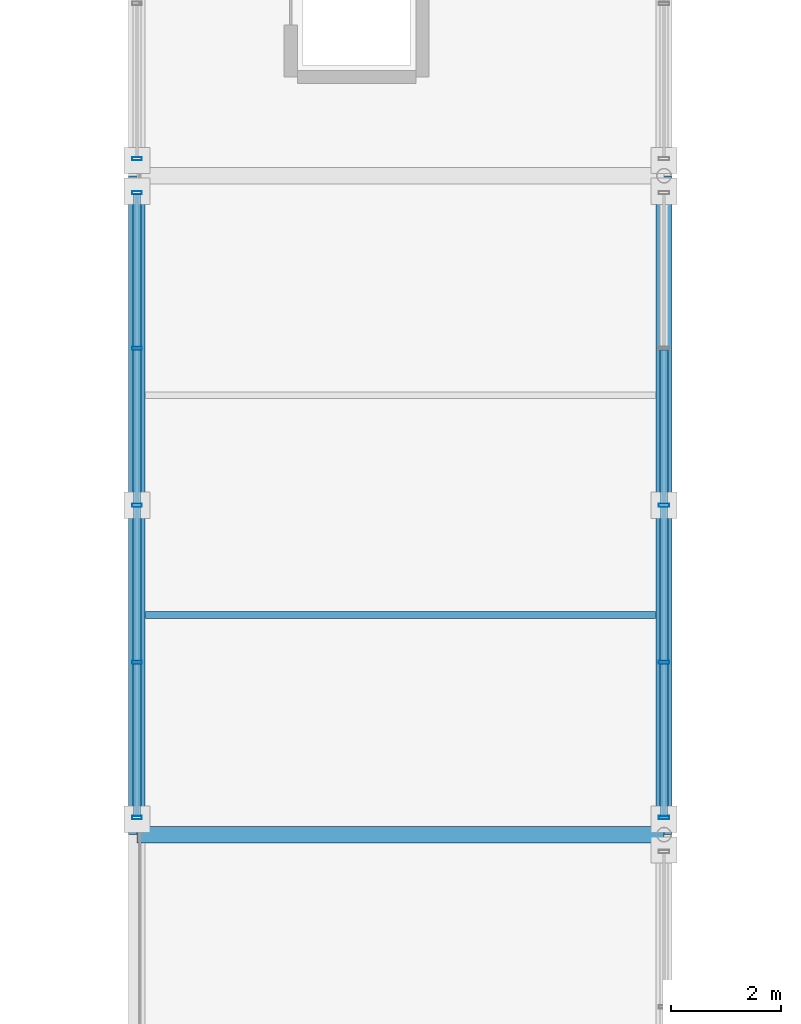
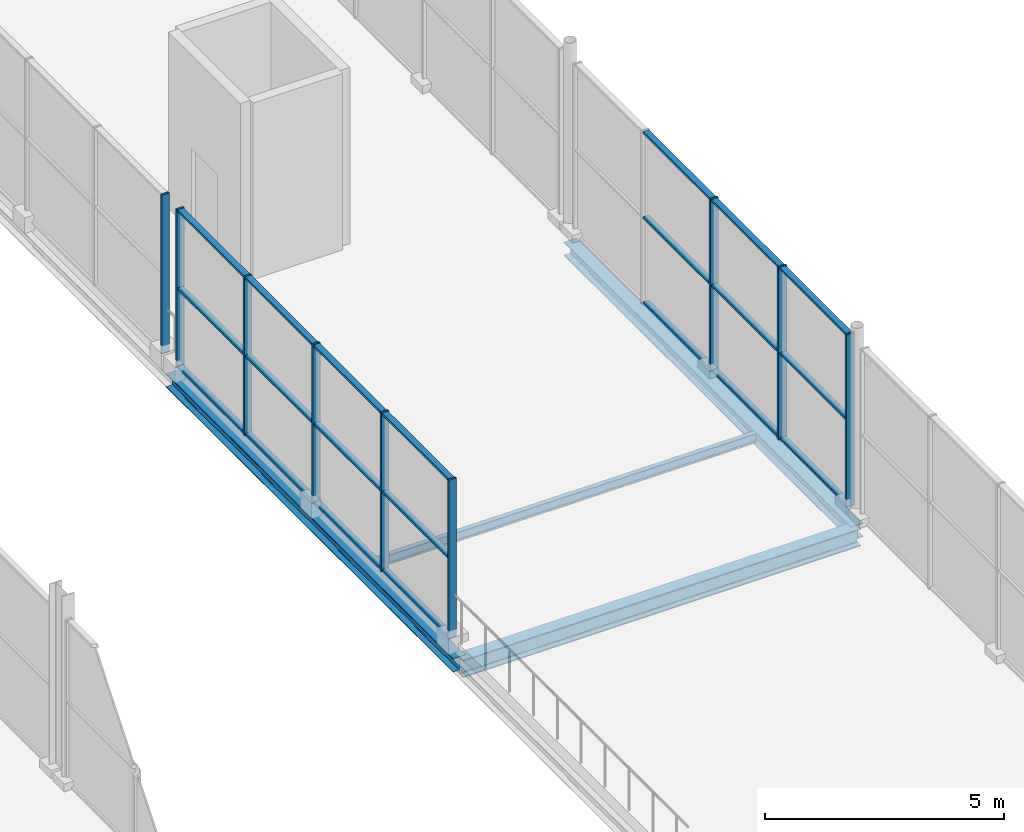
# One storey, part 90 of 159: 30 members, 4 beams, 3 elements without a shape of their own.
"""IFC4 building model written with IfcOpenShell, lengths in metres."""

from ifc_helpers import new_model, si_unit, direction, frame, origin, origin_2d, place, context, subcontext, project, spatial, hollow_rectangle, i_section, extrude, material, material_profile, profile_set, type_object, element, aggregate, save


model = new_model("IFC4")

# Units and contexts
model_context = context("Model", 3, precision=1e-05, world=origin(), true_north=direction((0.0, 1.0)))
body_context = subcontext(model_context, "Body", "Model", "MODEL_VIEW")
ifc_project = project(units=[si_unit("LENGTHUNIT", "METRE"), si_unit("AREAUNIT", "SQUARE_METRE"), si_unit("VOLUMEUNIT", "CUBIC_METRE"), si_unit("PLANEANGLEUNIT", "RADIAN"), si_unit("MASSUNIT", "GRAM", prefix="KILO")], contexts=[model_context])

# Site, building, storey
site_placement = place(None, origin())
site = spatial("IfcSite", under=ifc_project, at=site_placement, CompositionType="ELEMENT")
building_placement = place(site_placement, origin())
building = spatial("IfcBuilding", under=site, at=building_placement, Name="Merenkruunu Market Hall", CompositionType="ELEMENT")
storey_placement = place(building_placement, frame((0.0, 0.0, 5.39990234375)))
storey = spatial("IfcBuildingStorey", under=building, at=storey_placement, Name="L01", CompositionType="ELEMENT", Elevation=5.39990234375)

# Curtain wall, members
ifc_material_1 = material(Name="Powder-coated aluminium", Category="aluminium")
curtain_wall_type_1 = type_object("IfcCurtainWallType", Name="Glazed Curtain Wall CW16", PredefinedType="USERDEFINED", material=ifc_material_1)
curtain_wall_1_placement = place(storey_placement, origin())
curtain_wall_1 = element("IfcCurtainWall", 1, at=curtain_wall_1_placement, inside=storey, type_object=curtain_wall_type_1, Name="CW-L01-CWM02-175", ObjectType="GLAZED_FACADE", PredefinedType="USERDEFINED")
ifc_material_profile_1 = material_profile(ifc_material_1, hollow_rectangle(XDim=0.06005859375, YDim=0.179931640625, WallThickness=0.00390625, at=origin_2d()), Name="ALU 60x180x4")
ifc_profile_set_1 = profile_set([ifc_material_profile_1], Name="Powder-coated aluminium")
member_type_1 = type_object("IfcMemberType", Name="Curtain Wall Mullion CWM02", PredefinedType="MULLION", material=ifc_profile_set_1)
member_1_placement = place(storey_placement, frame((67.199951171875, 63.909912109375, 0.0), z_axis=(0.0, 0.0, 1.0), x_axis=(0.0, 1.0, 0.0)))
member_1 = element("IfcMember", 2, at=member_1_placement, type_object=member_type_1, Name="CW16 mullion 1", PredefinedType="MULLION", context=body_context, shape_type="SweptSolid", body=[
    extrude(hollow_rectangle(XDim=0.06005859375, YDim=0.179931640625, WallThickness=0.00390625, at=origin_2d()), origin(), (0.0, 0.0, 1.0), 4.050048828125),
])
member_2_placement = place(storey_placement, frame((67.199951171875, 66.739990234375, 0.0), z_axis=(0.0, 0.0, 1.0), x_axis=(0.0, 1.0, 0.0)))
member_2 = element("IfcMember", 3, at=member_2_placement, type_object=member_type_1, Name="CW16 mullion 2", PredefinedType="MULLION", context=body_context, shape_type="SweptSolid", body=[
    extrude(hollow_rectangle(XDim=0.06005859375, YDim=0.179931640625, WallThickness=0.00390625, at=origin_2d()), origin(), (0.0, 0.0, 1.0), 4.050048828125),
])
member_3_placement = place(storey_placement, frame((67.199951171875, 69.60009765625, 0.0), z_axis=(0.0, 0.0, 1.0), x_axis=(0.0, 1.0, 0.0)))
member_3 = element("IfcMember", 4, at=member_3_placement, type_object=member_type_1, Name="CW16 mullion 3", PredefinedType="MULLION", context=body_context, shape_type="SweptSolid", body=[
    extrude(hollow_rectangle(XDim=0.06005859375, YDim=0.179931640625, WallThickness=0.00390625, at=origin_2d()), origin(), (0.0, 0.0, 1.0), 4.050048828125),
])
member_4_placement = place(storey_placement, frame((67.199951171875, 72.4599609375, 0.0), z_axis=(0.0, 0.0, 1.0), x_axis=(0.0, 1.0, 0.0)))
member_4 = element("IfcMember", 5, at=member_4_placement, type_object=member_type_1, Name="CW16 mullion 4", PredefinedType="MULLION", context=body_context, shape_type="SweptSolid", body=[
    extrude(hollow_rectangle(XDim=0.06005859375, YDim=0.179931640625, WallThickness=0.00390625, at=origin_2d()), origin(), (0.0, 0.0, 1.0), 4.050048828125),
])
member_5_placement = place(storey_placement, frame((67.199951171875, 75.2900390625, 0.0), z_axis=(0.0, 0.0, 1.0), x_axis=(0.0, 1.0, 0.0)))
member_5 = element("IfcMember", 6, at=member_5_placement, type_object=member_type_1, Name="CW16 mullion 5", PredefinedType="MULLION", context=body_context, shape_type="SweptSolid", body=[
    extrude(hollow_rectangle(XDim=0.06005859375, YDim=0.179931640625, WallThickness=0.00390625, at=origin_2d()), origin(), (0.0, 0.0, 1.0), 4.050048828125),
])

# Curtain wall, member
curtain_wall_2_placement = place(storey_placement, origin())
curtain_wall_2 = element("IfcCurtainWall", 7, at=curtain_wall_2_placement, inside=storey, type_object=curtain_wall_type_1, Name="CW-L01-CWM02-177", ObjectType="GLAZED_FACADE", PredefinedType="USERDEFINED")
member_6_placement = place(storey_placement, frame((67.199951171875, 75.909912109375, 0.0), z_axis=(0.0, 0.0, 1.0), x_axis=(0.0, 1.0, 0.0)))
member_6 = element("IfcMember", 8, at=member_6_placement, type_object=member_type_1, Name="CW16 mullion 1", PredefinedType="MULLION", context=body_context, shape_type="SweptSolid", body=[
    extrude(hollow_rectangle(XDim=0.06005859375, YDim=0.179931640625, WallThickness=0.00390625, at=origin_2d()), origin(), (0.0, 0.0, 1.0), 4.050048828125),
])
aggregate(curtain_wall_2, [member_6])

# Curtain wall, members
curtain_wall_type_2 = type_object("IfcCurtainWallType", Name="Glazed Curtain Wall CW11", PredefinedType="USERDEFINED", material=ifc_material_1)
curtain_wall_3_placement = place(storey_placement, origin())
curtain_wall_3 = element("IfcCurtainWall", 9, at=curtain_wall_3_placement, inside=storey, type_object=curtain_wall_type_2, Name="CW-L01-CWM03-163", ObjectType="GLAZED_FACADE", PredefinedType="USERDEFINED")
ifc_material_profile_2 = material_profile(ifc_material_1, hollow_rectangle(XDim=0.06005859375, YDim=0.199951171875, WallThickness=0.0048828125, at=origin_2d()), Name="ALU 60x200x5")
ifc_profile_set_2 = profile_set([ifc_material_profile_2], Name="Powder-coated aluminium")
member_type_2 = type_object("IfcMemberType", Name="Curtain Wall Mullion CWM03", PredefinedType="MULLION", material=ifc_profile_set_2)
member_7_placement = place(storey_placement, frame((76.800048828125, 69.60009765625, 0.0), z_axis=(0.0, 0.0, 1.0), x_axis=(0.0, -1.0, 0.0)))
member_7 = element("IfcMember", 10, at=member_7_placement, type_object=member_type_2, Name="CW11 mullion 3", PredefinedType="MULLION", context=body_context, shape_type="SweptSolid", body=[
    extrude(hollow_rectangle(XDim=0.06005859375, YDim=0.199951171875, WallThickness=0.0048828125, at=origin_2d()), origin(), (0.0, 0.0, 1.0), 4.400146484375),
])
member_8_placement = place(storey_placement, frame((76.800048828125, 66.739990234375, 0.0), z_axis=(0.0, 0.0, 1.0), x_axis=(0.0, -1.0, 0.0)))
member_8 = element("IfcMember", 11, at=member_8_placement, type_object=member_type_2, Name="CW11 mullion 4", PredefinedType="MULLION", context=body_context, shape_type="SweptSolid", body=[
    extrude(hollow_rectangle(XDim=0.06005859375, YDim=0.199951171875, WallThickness=0.0048828125, at=origin_2d()), origin(), (0.0, 0.0, 1.0), 4.400146484375),
])
member_9_placement = place(storey_placement, frame((76.800048828125, 63.909912109375, 0.0), z_axis=(0.0, 0.0, 1.0), x_axis=(0.0, -1.0, 0.0)))
member_9 = element("IfcMember", 12, at=member_9_placement, type_object=member_type_2, Name="CW11 mullion 5", PredefinedType="MULLION", context=body_context, shape_type="SweptSolid", body=[
    extrude(hollow_rectangle(XDim=0.06005859375, YDim=0.199951171875, WallThickness=0.0048828125, at=origin_2d()), origin(), (0.0, 0.0, 1.0), 4.400146484375),
])
ifc_material_profile_3 = material_profile(ifc_material_1, hollow_rectangle(XDim=0.06005859375, YDim=0.139892578125, WallThickness=0.00390625, at=origin_2d()), Name="ALU 60x140x4")
ifc_profile_set_3 = profile_set([ifc_material_profile_3], Name="Powder-coated aluminium")
member_type_3 = type_object("IfcMemberType", Name="Curtain Wall Transom CWT02", PredefinedType="USERDEFINED", material=ifc_profile_set_3)
member_10_placement = place(storey_placement, frame((76.800048828125, 72.429931640625, 0.030029296875), z_axis=(0.0, -1.0, 0.0), x_axis=(0.0, 0.0, 1.0)))
member_10 = element("IfcMember", 13, at=member_10_placement, type_object=member_type_3, Name="CW11 transom 2.1", ObjectType="TRANSOM", PredefinedType="USERDEFINED", context=body_context, shape_type="SweptSolid", body=[
    extrude(hollow_rectangle(XDim=0.06005859375, YDim=0.139892578125, WallThickness=0.00390625, at=origin_2d()), origin(), (0.0, 0.0, 1.0), 2.800048828125),
])
member_11_placement = place(storey_placement, frame((76.800048828125, 72.429931640625, 2.2001953125), z_axis=(0.0, -1.0, 0.0), x_axis=(0.0, 0.0, 1.0)))
member_11 = element("IfcMember", 14, at=member_11_placement, type_object=member_type_3, Name="CW11 transom 2.2", ObjectType="TRANSOM", PredefinedType="USERDEFINED", context=body_context, shape_type="SweptSolid", body=[
    extrude(hollow_rectangle(XDim=0.06005859375, YDim=0.139892578125, WallThickness=0.00390625, at=origin_2d()), origin(), (0.0, 0.0, 1.0), 2.800048828125),
])
member_12_placement = place(storey_placement, frame((76.800048828125, 72.429931640625, 4.3701171875), z_axis=(0.0, -1.0, 0.0), x_axis=(0.0, 0.0, 1.0)))
member_12 = element("IfcMember", 15, at=member_12_placement, type_object=member_type_3, Name="CW11 transom 2.3", ObjectType="TRANSOM", PredefinedType="USERDEFINED", context=body_context, shape_type="SweptSolid", body=[
    extrude(hollow_rectangle(XDim=0.06005859375, YDim=0.139892578125, WallThickness=0.00390625, at=origin_2d()), origin(), (0.0, 0.0, 1.0), 2.800048828125),
])
member_13_placement = place(storey_placement, frame((76.800048828125, 69.570068359375, 0.030029296875), z_axis=(0.0, -1.0, 0.0), x_axis=(0.0, 0.0, 1.0)))
member_13 = element("IfcMember", 16, at=member_13_placement, type_object=member_type_3, Name="CW11 transom 3.1", ObjectType="TRANSOM", PredefinedType="USERDEFINED", context=body_context, shape_type="SweptSolid", body=[
    extrude(hollow_rectangle(XDim=0.06005859375, YDim=0.139892578125, WallThickness=0.00390625, at=origin_2d()), origin(), (0.0, 0.0, 1.0), 2.800048828125),
])
member_14_placement = place(storey_placement, frame((76.800048828125, 69.570068359375, 2.2001953125), z_axis=(0.0, -1.0, 0.0), x_axis=(0.0, 0.0, 1.0)))
member_14 = element("IfcMember", 17, at=member_14_placement, type_object=member_type_3, Name="CW11 transom 3.2", ObjectType="TRANSOM", PredefinedType="USERDEFINED", context=body_context, shape_type="SweptSolid", body=[
    extrude(hollow_rectangle(XDim=0.06005859375, YDim=0.139892578125, WallThickness=0.00390625, at=origin_2d()), origin(), (0.0, 0.0, 1.0), 2.800048828125),
])
member_15_placement = place(storey_placement, frame((76.800048828125, 69.570068359375, 4.3701171875), z_axis=(0.0, -1.0, 0.0), x_axis=(0.0, 0.0, 1.0)))
member_15 = element("IfcMember", 18, at=member_15_placement, type_object=member_type_3, Name="CW11 transom 3.3", ObjectType="TRANSOM", PredefinedType="USERDEFINED", context=body_context, shape_type="SweptSolid", body=[
    extrude(hollow_rectangle(XDim=0.06005859375, YDim=0.139892578125, WallThickness=0.00390625, at=origin_2d()), origin(), (0.0, 0.0, 1.0), 2.800048828125),
])
member_16_placement = place(storey_placement, frame((76.800048828125, 66.7099609375, 0.030029296875), z_axis=(0.0, -1.0, 0.0), x_axis=(0.0, 0.0, 1.0)))
member_16 = element("IfcMember", 19, at=member_16_placement, type_object=member_type_3, Name="CW11 transom 4.1", ObjectType="TRANSOM", PredefinedType="USERDEFINED", context=body_context, shape_type="SweptSolid", body=[
    extrude(hollow_rectangle(XDim=0.06005859375, YDim=0.139892578125, WallThickness=0.00390625, at=origin_2d()), origin(), (0.0, 0.0, 1.0), 2.77001953125),
])
member_17_placement = place(storey_placement, frame((76.800048828125, 66.7099609375, 2.2001953125), z_axis=(0.0, -1.0, 0.0), x_axis=(0.0, 0.0, 1.0)))
member_17 = element("IfcMember", 20, at=member_17_placement, type_object=member_type_3, Name="CW11 transom 4.2", ObjectType="TRANSOM", PredefinedType="USERDEFINED", context=body_context, shape_type="SweptSolid", body=[
    extrude(hollow_rectangle(XDim=0.06005859375, YDim=0.139892578125, WallThickness=0.00390625, at=origin_2d()), origin(), (0.0, 0.0, 1.0), 2.77001953125),
])
member_18_placement = place(storey_placement, frame((76.800048828125, 66.7099609375, 4.3701171875), z_axis=(0.0, -1.0, 0.0), x_axis=(0.0, 0.0, 1.0)))
member_18 = element("IfcMember", 21, at=member_18_placement, type_object=member_type_3, Name="CW11 transom 4.3", ObjectType="TRANSOM", PredefinedType="USERDEFINED", context=body_context, shape_type="SweptSolid", body=[
    extrude(hollow_rectangle(XDim=0.06005859375, YDim=0.139892578125, WallThickness=0.00390625, at=origin_2d()), origin(), (0.0, 0.0, 1.0), 2.77001953125),
])
aggregate(curtain_wall_3, [member_7, member_8, member_9, member_10, member_11, member_12, member_13, member_14, member_15, member_16, member_17, member_18])

# Member
member_19_placement = place(storey_placement, frame((67.199951171875, 63.93994140625, 0.030029296875), z_axis=(0.0, 1.0, 0.0), x_axis=(0.0, 0.0, 1.0)))
member_19 = element("IfcMember", 22, at=member_19_placement, type_object=member_type_3, Name="CW16 transom 1.1", ObjectType="TRANSOM", PredefinedType="USERDEFINED", context=body_context, shape_type="SweptSolid", body=[
    extrude(hollow_rectangle(XDim=0.06005859375, YDim=0.139892578125, WallThickness=0.00390625, at=origin_2d()), origin(), (0.0, 0.0, 1.0), 2.77001953125),
])

member_20_placement = place(storey_placement, frame((67.199951171875, 63.93994140625, 2.025146484375), z_axis=(0.0, 1.0, 0.0), x_axis=(0.0, 0.0, 1.0)))
member_20 = element("IfcMember", 23, at=member_20_placement, type_object=member_type_3, Name="CW16 transom 1.2", ObjectType="TRANSOM", PredefinedType="USERDEFINED", context=body_context, shape_type="SweptSolid", body=[
    extrude(hollow_rectangle(XDim=0.06005859375, YDim=0.139892578125, WallThickness=0.00390625, at=origin_2d()), origin(), (0.0, 0.0, 1.0), 2.77001953125),
])

member_21_placement = place(storey_placement, frame((67.199951171875, 63.93994140625, 4.02001953125), z_axis=(0.0, 1.0, 0.0), x_axis=(0.0, 0.0, 1.0)))
member_21 = element("IfcMember", 24, at=member_21_placement, type_object=member_type_3, Name="CW16 transom 1.3", ObjectType="TRANSOM", PredefinedType="USERDEFINED", context=body_context, shape_type="SweptSolid", body=[
    extrude(hollow_rectangle(XDim=0.06005859375, YDim=0.139892578125, WallThickness=0.00390625, at=origin_2d()), origin(), (0.0, 0.0, 1.0), 2.77001953125),
])

member_22_placement = place(storey_placement, frame((67.199951171875, 66.77001953125, 0.030029296875), z_axis=(0.0, 1.0, 0.0), x_axis=(0.0, 0.0, 1.0)))
member_22 = element("IfcMember", 25, at=member_22_placement, type_object=member_type_3, Name="CW16 transom 2.1", ObjectType="TRANSOM", PredefinedType="USERDEFINED", context=body_context, shape_type="SweptSolid", body=[
    extrude(hollow_rectangle(XDim=0.06005859375, YDim=0.139892578125, WallThickness=0.00390625, at=origin_2d()), origin(), (0.0, 0.0, 1.0), 2.800048828125),
])

member_23_placement = place(storey_placement, frame((67.199951171875, 66.77001953125, 2.025146484375), z_axis=(0.0, 1.0, 0.0), x_axis=(0.0, 0.0, 1.0)))
member_23 = element("IfcMember", 26, at=member_23_placement, type_object=member_type_3, Name="CW16 transom 2.2", ObjectType="TRANSOM", PredefinedType="USERDEFINED", context=body_context, shape_type="SweptSolid", body=[
    extrude(hollow_rectangle(XDim=0.06005859375, YDim=0.139892578125, WallThickness=0.00390625, at=origin_2d()), origin(), (0.0, 0.0, 1.0), 2.800048828125),
])

member_24_placement = place(storey_placement, frame((67.199951171875, 66.77001953125, 4.02001953125), z_axis=(0.0, 1.0, 0.0), x_axis=(0.0, 0.0, 1.0)))
member_24 = element("IfcMember", 27, at=member_24_placement, type_object=member_type_3, Name="CW16 transom 2.3", ObjectType="TRANSOM", PredefinedType="USERDEFINED", context=body_context, shape_type="SweptSolid", body=[
    extrude(hollow_rectangle(XDim=0.06005859375, YDim=0.139892578125, WallThickness=0.00390625, at=origin_2d()), origin(), (0.0, 0.0, 1.0), 2.800048828125),
])

member_25_placement = place(storey_placement, frame((67.199951171875, 69.6298828125, 0.030029296875), z_axis=(0.0, 1.0, 0.0), x_axis=(0.0, 0.0, 1.0)))
member_25 = element("IfcMember", 28, at=member_25_placement, type_object=member_type_3, Name="CW16 transom 3.1", ObjectType="TRANSOM", PredefinedType="USERDEFINED", context=body_context, shape_type="SweptSolid", body=[
    extrude(hollow_rectangle(XDim=0.06005859375, YDim=0.139892578125, WallThickness=0.00390625, at=origin_2d()), origin(), (0.0, 0.0, 1.0), 2.800048828125),
])

member_26_placement = place(storey_placement, frame((67.199951171875, 69.6298828125, 2.025146484375), z_axis=(0.0, 1.0, 0.0), x_axis=(0.0, 0.0, 1.0)))
member_26 = element("IfcMember", 29, at=member_26_placement, type_object=member_type_3, Name="CW16 transom 3.2", ObjectType="TRANSOM", PredefinedType="USERDEFINED", context=body_context, shape_type="SweptSolid", body=[
    extrude(hollow_rectangle(XDim=0.06005859375, YDim=0.139892578125, WallThickness=0.00390625, at=origin_2d()), origin(), (0.0, 0.0, 1.0), 2.800048828125),
])

member_27_placement = place(storey_placement, frame((67.199951171875, 69.6298828125, 4.02001953125), z_axis=(0.0, 1.0, 0.0), x_axis=(0.0, 0.0, 1.0)))
member_27 = element("IfcMember", 30, at=member_27_placement, type_object=member_type_3, Name="CW16 transom 3.3", ObjectType="TRANSOM", PredefinedType="USERDEFINED", context=body_context, shape_type="SweptSolid", body=[
    extrude(hollow_rectangle(XDim=0.06005859375, YDim=0.139892578125, WallThickness=0.00390625, at=origin_2d()), origin(), (0.0, 0.0, 1.0), 2.800048828125),
])

member_28_placement = place(storey_placement, frame((67.199951171875, 72.489990234375, 0.030029296875), z_axis=(0.0, 1.0, 0.0), x_axis=(0.0, 0.0, 1.0)))
member_28 = element("IfcMember", 31, at=member_28_placement, type_object=member_type_3, Name="CW16 transom 4.1", ObjectType="TRANSOM", PredefinedType="USERDEFINED", context=body_context, shape_type="SweptSolid", body=[
    extrude(hollow_rectangle(XDim=0.06005859375, YDim=0.139892578125, WallThickness=0.00390625, at=origin_2d()), origin(), (0.0, 0.0, 1.0), 2.77001953125),
])

member_29_placement = place(storey_placement, frame((67.199951171875, 72.489990234375, 2.025146484375), z_axis=(0.0, 1.0, 0.0), x_axis=(0.0, 0.0, 1.0)))
member_29 = element("IfcMember", 32, at=member_29_placement, type_object=member_type_3, Name="CW16 transom 4.2", ObjectType="TRANSOM", PredefinedType="USERDEFINED", context=body_context, shape_type="SweptSolid", body=[
    extrude(hollow_rectangle(XDim=0.06005859375, YDim=0.139892578125, WallThickness=0.00390625, at=origin_2d()), origin(), (0.0, 0.0, 1.0), 2.77001953125),
])

member_30_placement = place(storey_placement, frame((67.199951171875, 72.489990234375, 4.02001953125), z_axis=(0.0, 1.0, 0.0), x_axis=(0.0, 0.0, 1.0)))
member_30 = element("IfcMember", 33, at=member_30_placement, type_object=member_type_3, Name="CW16 transom 4.3", ObjectType="TRANSOM", PredefinedType="USERDEFINED", context=body_context, shape_type="SweptSolid", body=[
    extrude(hollow_rectangle(XDim=0.06005859375, YDim=0.139892578125, WallThickness=0.00390625, at=origin_2d()), origin(), (0.0, 0.0, 1.0), 2.77001953125),
])

aggregate(curtain_wall_1, [member_1, member_2, member_3, member_4, member_5, member_19, member_20, member_21, member_22, member_23, member_24, member_25, member_26, member_27, member_28, member_29, member_30])

# Beams
ifc_material_2 = material(Name="Steel S355J2", Category="steel")
ifc_material_profile_4 = material_profile(ifc_material_2, i_section(OverallWidth=0.300048828125, OverallDepth=0.449951171875, WebThickness=0.013916015625, FlangeThickness=0.02587890625, FilletRadius=0.027099609375, at=origin_2d()), Name="HEB 450")
ifc_profile_set_4 = profile_set([ifc_material_profile_4], Name="Steel S355J2")
beam_type_1 = type_object("IfcBeamType", Name="Primary Floor Girder B03", PredefinedType="BEAM", material=ifc_profile_set_4)
beam_1_placement = place(storey_placement, frame((67.199951171875, 63.60009765625, -0.534912109375), z_axis=(1.0, 0.0, 0.0), x_axis=(0.0, 1.0, 0.0)))
element("IfcBeam", 34, at=beam_1_placement, inside=storey, type_object=beam_type_1, Name="BM-L01-B03-0528", PredefinedType="BEAM", context=body_context, shape_type="SweptSolid", body=[
    extrude(i_section(OverallWidth=0.300048828125, OverallDepth=0.449951171875, WebThickness=0.013916015625, FlangeThickness=0.02587890625, FilletRadius=0.027099609375, at=origin_2d()), origin(), (0.0, 0.0, 1.0), 9.60009765625),
])
ifc_material_profile_5 = material_profile(ifc_material_2, i_section(OverallWidth=0.300048828125, OverallDepth=0.35009765625, WebThickness=0.010009765625, FlangeThickness=0.017578125, FilletRadius=0.027099609375, at=origin_2d()), Name="HEA 360")
ifc_profile_set_5 = profile_set([ifc_material_profile_5], Name="Steel S355J2")
beam_type_2 = type_object("IfcBeamType", Name="Primary Floor Girder B08", PredefinedType="BEAM", material=ifc_profile_set_5)
for number, where, z_axis, x_axis, name in (
    (35, (67.199951171875, 63.60009765625, -0.48486328125), (0.0, 1.0, 0.0), (-1.0, 0.0, 0.0), "BM-L01-B08-0594"),
    (36, (76.800048828125, 63.60009765625, -0.48486328125), (0.0, 1.0, 0.0), (-1.0, 0.0, 0.0), "BM-L01-B08-0602"),
):
    element("IfcBeam", number, at=place(storey_placement, frame(where, z_axis=z_axis, x_axis=x_axis)), inside=storey, type_object=beam_type_2, Name=name, PredefinedType="BEAM", context=body_context, shape_type="SweptSolid", body=[
        extrude(i_section(OverallWidth=0.300048828125, OverallDepth=0.35009765625, WebThickness=0.010009765625, FlangeThickness=0.017578125, FilletRadius=0.027099609375, at=origin_2d()), origin(), (0.0, 0.0, 1.0), 12.0),
    ])
ifc_material_profile_6 = material_profile(ifc_material_2, i_section(OverallWidth=0.1201171875, OverallDepth=0.239990234375, WebThickness=0.006103515625, FlangeThickness=0.009765625, FilletRadius=0.014892578125, at=origin_2d()), Name="IPE 240")
ifc_profile_set_6 = profile_set([ifc_material_profile_6], Name="Steel S355J2")
beam_type_3 = type_object("IfcBeamType", Name="Secondary Floor Joist J05", PredefinedType="JOIST", material=ifc_profile_set_6)
beam_2_placement = place(storey_placement, frame((67.35302734375, 67.60009765625, -0.429931640625), z_axis=(1.0, 0.0, 0.0), x_axis=(0.0, 1.0, 0.0)))
element("IfcBeam", 37, at=beam_2_placement, inside=storey, type_object=beam_type_3, Name="BM-L01-J05-0684", PredefinedType="JOIST", context=body_context, shape_type="SweptSolid", body=[
    extrude(i_section(OverallWidth=0.1201171875, OverallDepth=0.239990234375, WebThickness=0.006103515625, FlangeThickness=0.009765625, FilletRadius=0.014892578125, at=origin_2d()), origin(), (0.0, 0.0, 1.0), 9.2939453125),
])

save(model, "model.ifc")
